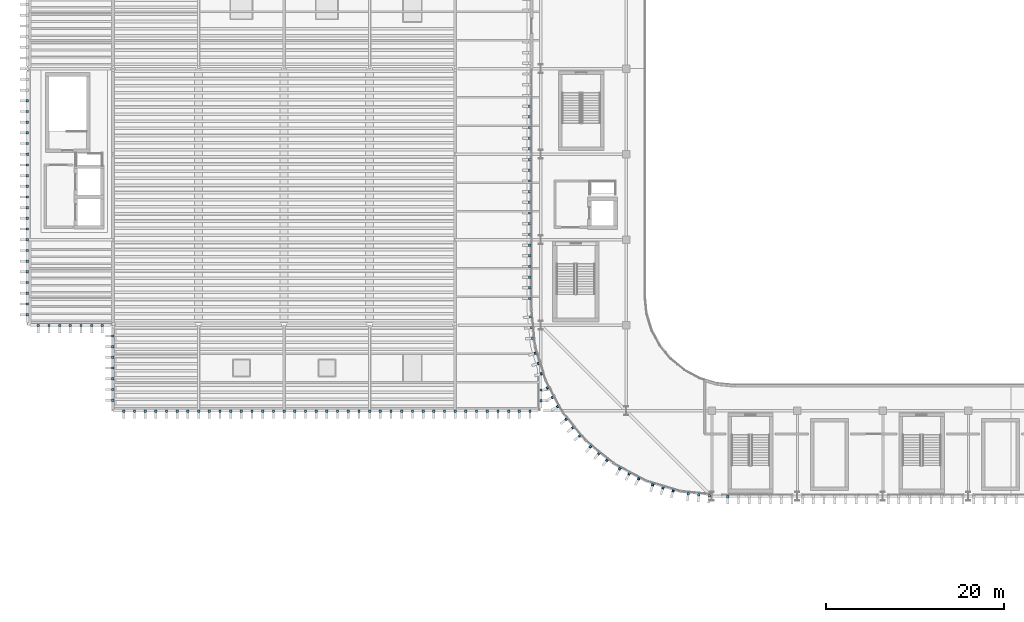
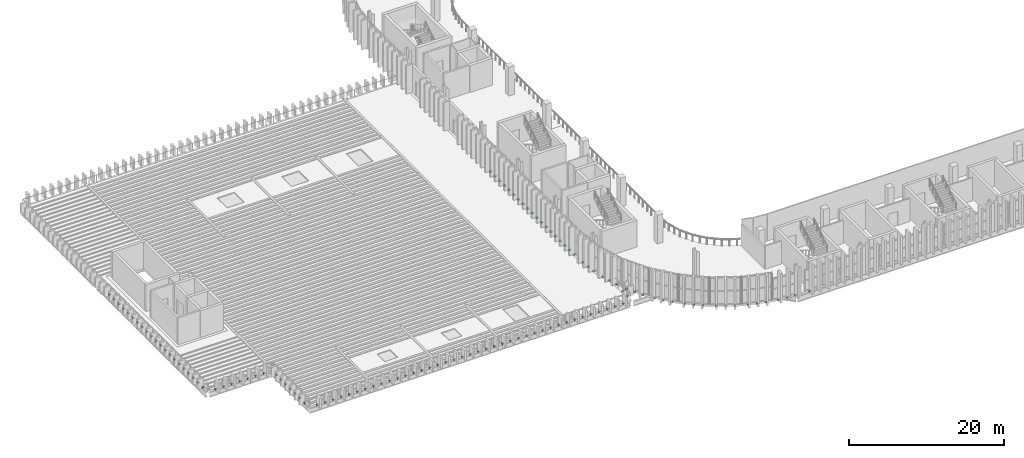
# One storey, part 67 of 92: 120 discrete accessories.
"""IFC4 building model written with IfcOpenShell, lengths in metres."""

from ifc_helpers import new_model, si_unit, direction, frame, origin, origin_2d, place, context, subcontext, project, spatial, rectangle, extrude, material, type_object, element, save


model = new_model("IFC4")

# Units and contexts
model_context = context("Model", 3, precision=1e-05, world=origin(), true_north=direction((0.0, 1.0)))
body_context = subcontext(model_context, "Body", "Model", "MODEL_VIEW")
ifc_project = project(units=[si_unit("LENGTHUNIT", "METRE"), si_unit("AREAUNIT", "SQUARE_METRE"), si_unit("VOLUMEUNIT", "CUBIC_METRE"), si_unit("PLANEANGLEUNIT", "RADIAN"), si_unit("MASSUNIT", "GRAM", prefix="KILO")], contexts=[model_context])

# Site, building, storey
site_placement = place(None, origin())
site = spatial("IfcSite", under=ifc_project, at=site_placement, CompositionType="ELEMENT")
building_placement = place(site_placement, origin())
building = spatial("IfcBuilding", under=site, at=building_placement, Name="Caelomonte Colonnade Arena", CompositionType="ELEMENT")
storey_placement = place(building_placement, frame((0.0, 0.0, 9.60009765625)))
storey = spatial("IfcBuildingStorey", under=building, at=storey_placement, Name="L02", CompositionType="ELEMENT", Elevation=9.60009765625)

# Discrete accessories
ifc_material = material(Name="Steel ASTM A572 Grade 50", Category="steel")
discrete_accessory_type = type_object("IfcDiscreteAccessoryType", Name="ENV-ACC-BRK", PredefinedType="BRACKET", material=ifc_material)
for number, where, z_axis, x_axis, name in (
    (1, (56.3701171875, 63.0, -0.2099609375), (0.0, 0.0, 1.0), (0.0, -1.0, 0.0), "V1 L02 fin support bracket 196"),
    (2, (56.3701171875, 61.800048828125, -0.2099609375), (0.0, 0.0, 1.0), (0.0, -1.0, 0.0), "V1 L02 fin support bracket 197"),
    (3, (56.3701171875, 60.60009765625, -0.2099609375), (0.0, 0.0, 1.0), (0.0, -1.0, 0.0), "V1 L02 fin support bracket 198"),
    (4, (56.3701171875, 59.39990234375, -0.2099609375), (0.0, 0.0, 1.0), (0.0, -1.0, 0.0), "V1 L02 fin support bracket 199"),
    (5, (56.3701171875, 58.199951171875, -0.2099609375), (0.0, 0.0, 1.0), (0.0, -1.0, 0.0), "V1 L02 fin support bracket 200"),
    (6, (56.3701171875, 57.0, -0.2099609375), (0.0, 0.0, 1.0), (0.0, -1.0, 0.0), "V1 L02 fin support bracket 201"),
    (7, (56.3701171875, 55.800048828125, -0.2099609375), (0.0, 0.0, 1.0), (0.0, -1.0, 0.0), "V1 L02 fin support bracket 202"),
    (8, (56.3701171875, 54.60009765625, -0.2099609375), (0.0, 0.0, 1.0), (0.0, -1.0, 0.0), "V1 L02 fin support bracket 203"),
    (9, (56.3701171875, 53.39990234375, -0.2099609375), (0.0, 0.0, 1.0), (0.0, -1.0, 0.0), "V1 L02 fin support bracket 204"),
    (10, (56.3701171875, 52.199951171875, -0.2099609375), (0.0, 0.0, 1.0), (0.0, -1.0, 0.0), "V1 L02 fin support bracket 205"),
    (11, (56.3701171875, 51.0, -0.2099609375), (0.0, 0.0, 1.0), (0.0, -1.0, 0.0), "V1 L02 fin support bracket 206"),
    (12, (56.3701171875, 49.800048828125, -0.2099609375), (0.0, 0.0, 1.0), (0.0, -1.0, 0.0), "V1 L02 fin support bracket 207"),
    (13, (56.3701171875, 48.60009765625, -0.2099609375), (0.0, 0.0, 1.0), (0.0, -1.0, 0.0), "V1 L02 fin support bracket 208"),
    (14, (56.3701171875, 47.39990234375, -0.2099609375), (0.0, 0.0, 1.0), (0.0, -1.0, 0.0), "V1 L02 fin support bracket 209"),
    (15, (56.3701171875, 46.199951171875, -0.2099609375), (0.0, 0.0, 1.0), (0.0, -1.0, 0.0), "V1 L02 fin support bracket 210"),
    (16, (56.3701171875, 45.0, -0.2099609375), (0.0, 0.0, 1.0), (0.0, -1.0, 0.0), "V1 L02 fin support bracket 211"),
    (17, (56.3701171875, 43.800048828125, -0.2099609375), (0.0, 0.0, 1.0), (0.0, -1.0, 0.0), "V1 L02 fin support bracket 212"),
    (18, (56.3701171875, 42.60009765625, -0.2099609375), (0.0, 0.0, 1.0), (0.0, -1.0, 0.0), "V1 L02 fin support bracket 213"),
    (19, (56.3701171875, 41.39990234375, -0.2099609375), (0.0, 0.0, 1.0), (0.0, -1.0, 0.0), "V1 L02 fin support bracket 214"),
    (20, (56.454345703125, 39.3427734375, -0.2099609375), (0.0, 0.0, 1.0), (0.098015403404, -0.995184897743, 0.0), "V1 L02 fin support bracket 215"),
    (21, (56.572021484375, 38.148681640625, -0.2099609375), (0.0, 0.0, 1.0), (0.098015403404, -0.995184897743, 0.0), "V1 L02 fin support bracket 216"),
    (22, (56.689453125, 36.954345703125, -0.2099609375), (0.0, 0.0, 1.0), (0.098015403404, -0.995184897743, 0.0), "V1 L02 fin support bracket 217"),
    (23, (57.02392578125, 35.27294921875, -0.2099609375), (0.0, 0.0, 1.0), (0.290276326364, -0.956942868907, 0.0), "V1 L02 fin support bracket 218"),
    (24, (57.372314453125, 34.12451171875, -0.2099609375), (0.0, 0.0, 1.0), (0.290276326364, -0.956942868907, 0.0), "V1 L02 fin support bracket 219"),
    (25, (57.720703125, 32.976318359375, -0.2099609375), (0.0, 0.0, 1.0), (0.290276326364, -0.956942868907, 0.0), "V1 L02 fin support bracket 220"),
    (26, (58.376708984375, 31.392578125, -0.2099609375), (0.0, 0.0, 1.0), (0.471396736826, -0.881921264348, 0.0), "V1 L02 fin support bracket 221"),
    (27, (58.9423828125, 30.334228515625, -0.2099609375), (0.0, 0.0, 1.0), (0.471396736826, -0.881921264348, 0.0), "V1 L02 fin support bracket 222"),
    (28, (59.508056640625, 29.27587890625, -0.2099609375), (0.0, 0.0, 1.0), (0.471396736826, -0.881921264348, 0.0), "V1 L02 fin support bracket 223"),
    (29, (60.46044921875, 27.8505859375, -0.2099609375), (0.0, 0.0, 1.0), (0.634413521313, -0.77299384472, 0.0), "V1 L02 fin support bracket 224"),
    (30, (61.2216796875, 26.9228515625, -0.2099609375), (0.0, 0.0, 1.0), (0.634413521313, -0.77299384472, 0.0), "V1 L02 fin support bracket 225"),
    (31, (61.983154296875, 25.995361328125, -0.2099609375), (0.0, 0.0, 1.0), (0.634413521313, -0.77299384472, 0.0), "V1 L02 fin support bracket 226"),
    (32, (63.1953125, 24.783203125, -0.2099609375), (0.0, 0.0, 1.0), (0.77299384472, -0.634413521313, 0.0), "V1 L02 fin support bracket 227"),
    (33, (64.122802734375, 24.021728515625, -0.2099609375), (0.0, 0.0, 1.0), (0.77299384472, -0.634413521313, 0.0), "V1 L02 fin support bracket 228"),
    (34, (65.050537109375, 23.260498046875, -0.2099609375), (0.0, 0.0, 1.0), (0.77299384472, -0.634413521313, 0.0), "V1 L02 fin support bracket 229"),
    (35, (66.475830078125, 22.30810546875, -0.2099609375), (0.0, 0.0, 1.0), (0.881921264348, -0.471396736826, 0.0), "V1 L02 fin support bracket 230"),
    (36, (67.5341796875, 21.7421875, -0.2099609375), (0.0, 0.0, 1.0), (0.881921264348, -0.471396736826, 0.0), "V1 L02 fin support bracket 231"),
    (37, (68.592529296875, 21.1767578125, -0.2099609375), (0.0, 0.0, 1.0), (0.881921264348, -0.471396736826, 0.0), "V1 L02 fin support bracket 232"),
    (38, (70.17626953125, 20.5205078125, -0.2099609375), (0.0, 0.0, 1.0), (0.956942868907, -0.290276326364, 0.0), "V1 L02 fin support bracket 233"),
    (39, (71.32470703125, 20.17236328125, -0.2099609375), (0.0, 0.0, 1.0), (0.956942868907, -0.290276326364, 0.0), "V1 L02 fin support bracket 234"),
    (40, (72.472900390625, 19.823974609375, -0.2099609375), (0.0, 0.0, 1.0), (0.956942868907, -0.290276326364, 0.0), "V1 L02 fin support bracket 235"),
    (41, (74.154296875, 19.489501953125, -0.2099609375), (0.0, 0.0, 1.0), (0.995184897743, -0.098015403404, 0.0), "V1 L02 fin support bracket 236"),
    (42, (75.3486328125, 19.371826171875, -0.2099609375), (0.0, 0.0, 1.0), (0.995184897743, -0.098015403404, 0.0), "V1 L02 fin support bracket 237"),
    (43, (76.542724609375, 19.25439453125, -0.2099609375), (0.0, 0.0, 1.0), (0.995184897743, -0.098015403404, 0.0), "V1 L02 fin support bracket 238"),
    (44, (78.60009765625, 19.169921875, -0.2099609375), (0.0, 0.0, 1.0), (1.0, 0.0, 0.0), "V1 L02 fin support bracket 239"),
    (45, (-0.030029296875, 63.60009765625, -0.2099609375), (0.0, 0.0, 1.0), (0.0, -1.0, 0.0), "V5 L02 fin support bracket 19"),
    (46, (-0.030029296875, 62.39990234375, -0.2099609375), (0.0, 0.0, 1.0), (0.0, -1.0, 0.0), "V5 L02 fin support bracket 20"),
    (47, (-0.030029296875, 61.199951171875, -0.2099609375), (0.0, 0.0, 1.0), (0.0, -1.0, 0.0), "V5 L02 fin support bracket 21"),
    (48, (-0.030029296875, 60.0, -0.2099609375), (0.0, 0.0, 1.0), (0.0, -1.0, 0.0), "V5 L02 fin support bracket 22"),
    (49, (-0.030029296875, 58.800048828125, -0.2099609375), (0.0, 0.0, 1.0), (0.0, -1.0, 0.0), "V5 L02 fin support bracket 23"),
    (50, (-0.030029296875, 57.60009765625, -0.2099609375), (0.0, 0.0, 1.0), (0.0, -1.0, 0.0), "V5 L02 fin support bracket 24"),
    (51, (-0.030029296875, 56.39990234375, -0.2099609375), (0.0, 0.0, 1.0), (0.0, -1.0, 0.0), "V5 L02 fin support bracket 25"),
    (52, (-0.030029296875, 55.199951171875, -0.2099609375), (0.0, 0.0, 1.0), (0.0, -1.0, 0.0), "V5 L02 fin support bracket 26"),
    (53, (-0.030029296875, 54.0, -0.2099609375), (0.0, 0.0, 1.0), (0.0, -1.0, 0.0), "V5 L02 fin support bracket 27"),
    (54, (-0.030029296875, 52.800048828125, -0.2099609375), (0.0, 0.0, 1.0), (0.0, -1.0, 0.0), "V5 L02 fin support bracket 28"),
    (55, (-0.030029296875, 51.60009765625, -0.2099609375), (0.0, 0.0, 1.0), (0.0, -1.0, 0.0), "V5 L02 fin support bracket 29"),
    (56, (-0.030029296875, 50.39990234375, -0.2099609375), (0.0, 0.0, 1.0), (0.0, -1.0, 0.0), "V5 L02 fin support bracket 30"),
    (57, (-0.030029296875, 49.199951171875, -0.2099609375), (0.0, 0.0, 1.0), (0.0, -1.0, 0.0), "V5 L02 fin support bracket 31"),
    (58, (-0.030029296875, 48.0, -0.2099609375), (0.0, 0.0, 1.0), (0.0, -1.0, 0.0), "V5 L02 fin support bracket 32"),
    (59, (-0.030029296875, 46.800048828125, -0.2099609375), (0.0, 0.0, 1.0), (0.0, -1.0, 0.0), "V5 L02 fin support bracket 33"),
    (60, (-0.030029296875, 45.60009765625, -0.2099609375), (0.0, 0.0, 1.0), (0.0, -1.0, 0.0), "V5 L02 fin support bracket 34"),
    (61, (-0.030029296875, 44.39990234375, -0.2099609375), (0.0, 0.0, 1.0), (0.0, -1.0, 0.0), "V5 L02 fin support bracket 35"),
    (62, (-0.030029296875, 43.199951171875, -0.2099609375), (0.0, 0.0, 1.0), (0.0, -1.0, 0.0), "V5 L02 fin support bracket 36"),
    (63, (-0.030029296875, 42.0, -0.2099609375), (0.0, 0.0, 1.0), (0.0, -1.0, 0.0), "V5 L02 fin support bracket 37"),
    (64, (-0.030029296875, 40.800048828125, -0.2099609375), (0.0, 0.0, 1.0), (0.0, -1.0, 0.0), "V5 L02 fin support bracket 38"),
    (65, (-0.030029296875, 39.60009765625, -0.2099609375), (0.0, 0.0, 1.0), (0.0, -1.0, 0.0), "V5 L02 fin support bracket 39"),
    (66, (1.199951171875, 38.3701171875, -0.2099609375), (0.0, 0.0, 1.0), (1.0, 0.0, 0.0), "V5 L02 fin support bracket 40"),
    (67, (2.39990234375, 38.3701171875, -0.2099609375), (0.0, 0.0, 1.0), (1.0, 0.0, 0.0), "V5 L02 fin support bracket 41"),
    (68, (3.60009765625, 38.3701171875, -0.2099609375), (0.0, 0.0, 1.0), (1.0, 0.0, 0.0), "V5 L02 fin support bracket 42"),
    (69, (4.800048828125, 38.3701171875, -0.2099609375), (0.0, 0.0, 1.0), (1.0, 0.0, 0.0), "V5 L02 fin support bracket 43"),
    (70, (6.0, 38.3701171875, -0.2099609375), (0.0, 0.0, 1.0), (1.0, 0.0, 0.0), "V5 L02 fin support bracket 44"),
    (71, (7.199951171875, 38.3701171875, -0.2099609375), (0.0, 0.0, 1.0), (1.0, 0.0, 0.0), "V5 L02 fin support bracket 45"),
    (72, (8.39990234375, 38.3701171875, -0.2099609375), (0.0, 0.0, 1.0), (1.0, 0.0, 0.0), "V5 L02 fin support bracket 46"),
    (73, (9.570068359375, 37.199951171875, -0.2099609375), (0.0, 0.0, 1.0), (0.0, -1.0, 0.0), "V5 L02 fin support bracket 47"),
    (74, (9.570068359375, 36.0, -0.2099609375), (0.0, 0.0, 1.0), (0.0, -1.0, 0.0), "V5 L02 fin support bracket 48"),
    (75, (9.570068359375, 34.800048828125, -0.2099609375), (0.0, 0.0, 1.0), (0.0, -1.0, 0.0), "V5 L02 fin support bracket 49"),
    (76, (9.570068359375, 33.60009765625, -0.2099609375), (0.0, 0.0, 1.0), (0.0, -1.0, 0.0), "V5 L02 fin support bracket 50"),
    (77, (9.570068359375, 32.39990234375, -0.2099609375), (0.0, 0.0, 1.0), (0.0, -1.0, 0.0), "V5 L02 fin support bracket 51"),
    (78, (9.570068359375, 31.199951171875, -0.2099609375), (0.0, 0.0, 1.0), (0.0, -1.0, 0.0), "V5 L02 fin support bracket 52"),
    (79, (9.570068359375, 30.0, -0.2099609375), (0.0, 0.0, 1.0), (0.0, -1.0, 0.0), "V5 L02 fin support bracket 53"),
    (80, (10.800048828125, 28.77001953125, -0.2099609375), (0.0, 0.0, 1.0), (1.0, 0.0, 0.0), "V5 L02 fin support bracket 54"),
    (81, (12.0, 28.77001953125, -0.2099609375), (0.0, 0.0, 1.0), (1.0, 0.0, 0.0), "V5 L02 fin support bracket 55"),
    (82, (13.199951171875, 28.77001953125, -0.2099609375), (0.0, 0.0, 1.0), (1.0, 0.0, 0.0), "V5 L02 fin support bracket 56"),
    (83, (14.39990234375, 28.77001953125, -0.2099609375), (0.0, 0.0, 1.0), (1.0, 0.0, 0.0), "V5 L02 fin support bracket 57"),
    (84, (15.60009765625, 28.77001953125, -0.2099609375), (0.0, 0.0, 1.0), (1.0, 0.0, 0.0), "V5 L02 fin support bracket 58"),
    (85, (16.800048828125, 28.77001953125, -0.2099609375), (0.0, 0.0, 1.0), (1.0, 0.0, 0.0), "V5 L02 fin support bracket 59"),
    (86, (18.0, 28.77001953125, -0.2099609375), (0.0, 0.0, 1.0), (1.0, 0.0, 0.0), "V5 L02 fin support bracket 60"),
    (87, (19.199951171875, 28.77001953125, -0.2099609375), (0.0, 0.0, 1.0), (1.0, 0.0, 0.0), "V5 L02 fin support bracket 61"),
    (88, (20.39990234375, 28.77001953125, -0.2099609375), (0.0, 0.0, 1.0), (1.0, 0.0, 0.0), "V5 L02 fin support bracket 62"),
    (89, (21.60009765625, 28.77001953125, -0.2099609375), (0.0, 0.0, 1.0), (1.0, 0.0, 0.0), "V5 L02 fin support bracket 63"),
    (90, (22.800048828125, 28.77001953125, -0.2099609375), (0.0, 0.0, 1.0), (1.0, 0.0, 0.0), "V5 L02 fin support bracket 64"),
    (91, (24.0, 28.77001953125, -0.2099609375), (0.0, 0.0, 1.0), (1.0, 0.0, 0.0), "V5 L02 fin support bracket 65"),
    (92, (25.199951171875, 28.77001953125, -0.2099609375), (0.0, 0.0, 1.0), (1.0, 0.0, 0.0), "V5 L02 fin support bracket 66"),
    (93, (26.39990234375, 28.77001953125, -0.2099609375), (0.0, 0.0, 1.0), (1.0, 0.0, 0.0), "V5 L02 fin support bracket 67"),
    (94, (27.60009765625, 28.77001953125, -0.2099609375), (0.0, 0.0, 1.0), (1.0, 0.0, 0.0), "V5 L02 fin support bracket 68"),
    (95, (28.800048828125, 28.77001953125, -0.2099609375), (0.0, 0.0, 1.0), (1.0, 0.0, 0.0), "V5 L02 fin support bracket 69"),
    (96, (30.0, 28.77001953125, -0.2099609375), (0.0, 0.0, 1.0), (1.0, 0.0, 0.0), "V5 L02 fin support bracket 70"),
    (97, (31.199951171875, 28.77001953125, -0.2099609375), (0.0, 0.0, 1.0), (1.0, 0.0, 0.0), "V5 L02 fin support bracket 71"),
    (98, (32.39990234375, 28.77001953125, -0.2099609375), (0.0, 0.0, 1.0), (1.0, 0.0, 0.0), "V5 L02 fin support bracket 72"),
    (99, (33.60009765625, 28.77001953125, -0.2099609375), (0.0, 0.0, 1.0), (1.0, 0.0, 0.0), "V5 L02 fin support bracket 73"),
    (100, (34.800048828125, 28.77001953125, -0.2099609375), (0.0, 0.0, 1.0), (1.0, 0.0, 0.0), "V5 L02 fin support bracket 74"),
    (101, (36.0, 28.77001953125, -0.2099609375), (0.0, 0.0, 1.0), (1.0, 0.0, 0.0), "V5 L02 fin support bracket 75"),
    (102, (37.199951171875, 28.77001953125, -0.2099609375), (0.0, 0.0, 1.0), (1.0, 0.0, 0.0), "V5 L02 fin support bracket 76"),
    (103, (38.39990234375, 28.77001953125, -0.2099609375), (0.0, 0.0, 1.0), (1.0, 0.0, 0.0), "V5 L02 fin support bracket 77"),
    (104, (39.60009765625, 28.77001953125, -0.2099609375), (0.0, 0.0, 1.0), (1.0, 0.0, 0.0), "V5 L02 fin support bracket 78"),
    (105, (40.800048828125, 28.77001953125, -0.2099609375), (0.0, 0.0, 1.0), (1.0, 0.0, 0.0), "V5 L02 fin support bracket 79"),
    (106, (42.0, 28.77001953125, -0.2099609375), (0.0, 0.0, 1.0), (1.0, 0.0, 0.0), "V5 L02 fin support bracket 80"),
    (107, (43.199951171875, 28.77001953125, -0.2099609375), (0.0, 0.0, 1.0), (1.0, 0.0, 0.0), "V5 L02 fin support bracket 81"),
    (108, (44.39990234375, 28.77001953125, -0.2099609375), (0.0, 0.0, 1.0), (1.0, 0.0, 0.0), "V5 L02 fin support bracket 82"),
    (109, (45.60009765625, 28.77001953125, -0.2099609375), (0.0, 0.0, 1.0), (1.0, 0.0, 0.0), "V5 L02 fin support bracket 83"),
    (110, (46.800048828125, 28.77001953125, -0.2099609375), (0.0, 0.0, 1.0), (1.0, 0.0, 0.0), "V5 L02 fin support bracket 84"),
    (111, (48.0, 28.77001953125, -0.2099609375), (0.0, 0.0, 1.0), (1.0, 0.0, 0.0), "V5 L02 fin support bracket 85"),
    (112, (49.199951171875, 28.77001953125, -0.2099609375), (0.0, 0.0, 1.0), (1.0, 0.0, 0.0), "V5 L02 fin support bracket 86"),
    (113, (50.39990234375, 28.77001953125, -0.2099609375), (0.0, 0.0, 1.0), (1.0, 0.0, 0.0), "V5 L02 fin support bracket 87"),
    (114, (51.60009765625, 28.77001953125, -0.2099609375), (0.0, 0.0, 1.0), (1.0, 0.0, 0.0), "V5 L02 fin support bracket 88"),
    (115, (52.800048828125, 28.77001953125, -0.2099609375), (0.0, 0.0, 1.0), (1.0, 0.0, 0.0), "V5 L02 fin support bracket 89"),
    (116, (54.0, 28.77001953125, -0.2099609375), (0.0, 0.0, 1.0), (1.0, 0.0, 0.0), "V5 L02 fin support bracket 90"),
    (117, (55.199951171875, 28.77001953125, -0.2099609375), (0.0, 0.0, 1.0), (1.0, 0.0, 0.0), "V5 L02 fin support bracket 91"),
    (118, (56.39990234375, 28.77001953125, -0.2099609375), (0.0, 0.0, 1.0), (1.0, 0.0, 0.0), "V5 L02 fin support bracket 92"),
    (119, (57.6298828125, 29.938720703125, -0.2099609375), (0.0, 0.0, 1.0), (0.0, 1.0, 0.0), "V5 L02 fin support bracket 93"),
    (120, (57.6298828125, 31.138671875, -0.2099609375), (0.0, 0.0, 1.0), (0.0, 1.0, 0.0), "V5 L02 fin support bracket 94"),
):
    element("IfcDiscreteAccessory", number, at=place(storey_placement, frame(where, z_axis=z_axis, x_axis=x_axis)), inside=storey, type_object=discrete_accessory_type, Name=name, PredefinedType="BRACKET", context=body_context, shape_type="SweptSolid", body=[
        extrude(rectangle(XDim=0.260009765625, YDim=0.260009765625, at=origin_2d()), origin(), (0.0, 0.0, 1.0), 0.179931640625),
    ])

save(model, "model.ifc")
